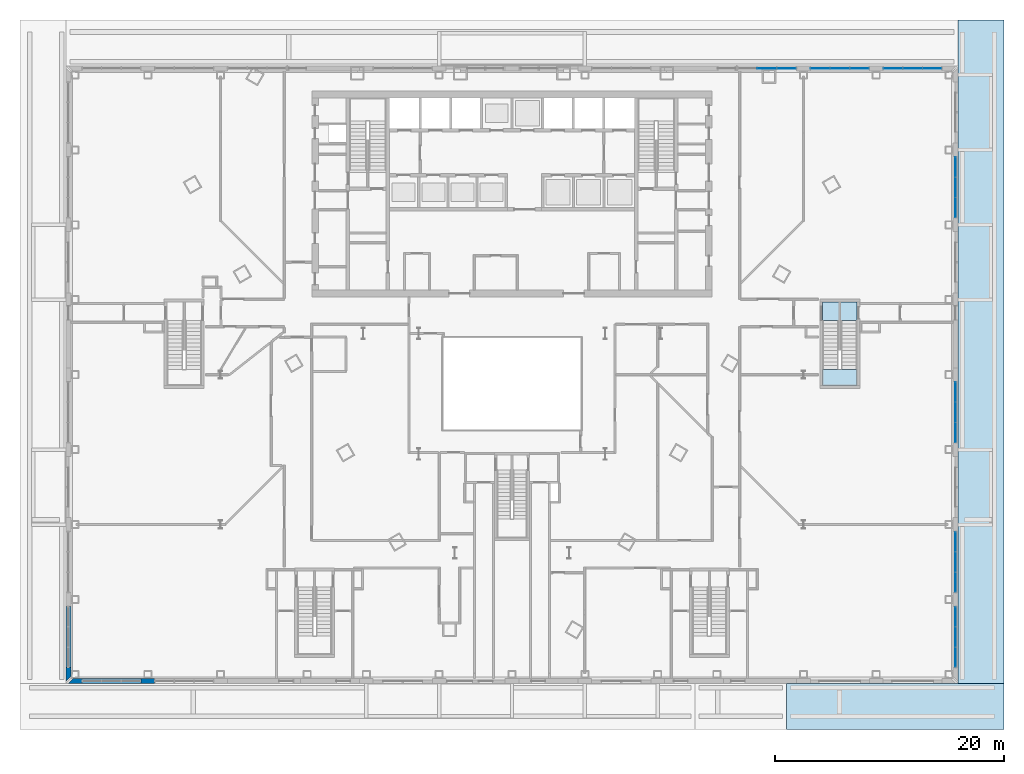
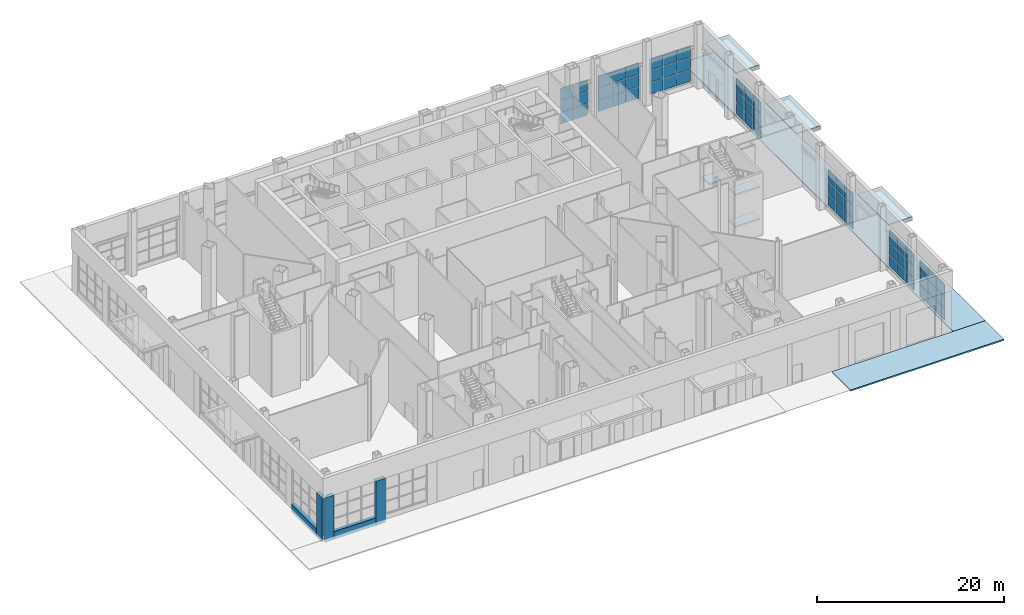
# One storey, part 15 of 34: 60 plates, 8 slabs, 5 walls, 8 elements without a shape of their own.
"""IFC4 building model written with IfcOpenShell, lengths in metres."""

import ifcopenshell
import ifcopenshell.guid

model = None  # the IFC model being written
_history = None  # IfcOwnerHistory: only IFC2X3 demands one
_inside = {}  # id of a spatial element -> (the spatial element, [elements in it])
_under = {}  # id of a project, library or spatial element -> (it, [spatial elements below it])
_declared = {}  # id of a project -> (the project, [libraries it declares])
_typed = {}  # id of a type object -> (the type object, [elements of that type])
_made_of = {}  # id of a material, layer set ... -> (it, [elements and type objects made of it])


def new_model(schema):
    """Start an empty IFC model of exactly this schema.

    Asked for "IFC4X3", IfcOpenShell would pick the latest addendum, in which some entities
    have other attributes; the version numbers below select the first issue.
    IFC2X3 requires an IfcOwnerHistory on every rooted entity: one is made here for all.
    """
    global model, _history
    if schema == "IFC4X3":
        model = ifcopenshell.file(schema_version=(4, 3, 0, 0))
    else:
        model = ifcopenshell.file(schema=schema)
    _inside.clear()
    _under.clear()
    _declared.clear()
    _typed.clear()
    _made_of.clear()
    _history = None
    if model.schema == "IFC2X3":
        org = make("IfcOrganization", Name="unknown")
        user = make(
            "IfcPersonAndOrganization",
            ThePerson=make("IfcPerson", FamilyName="unknown"),
            TheOrganization=org,
        )
        app = make(
            "IfcApplication",
            ApplicationDeveloper=org,
            Version="unknown",
            ApplicationFullName="unknown",
            ApplicationIdentifier="unknown",
        )
        _history = make(
            "IfcOwnerHistory",
            OwningUser=user,
            OwningApplication=app,
            ChangeAction="ADDED",
            CreationDate=0,
        )
    return model


def make(cls, **values):
    """One entity of the class cls with the attributes given. An attribute that is None is left unset."""
    return model.create_entity(
        cls, **{name: value for name, value in values.items() if value is not None}
    )


def rooted(cls, **values):
    """An entity with a GlobalId (a new one), such as an element, a storey or a relation."""
    return make(cls, GlobalId=ifcopenshell.guid.new(), OwnerHistory=_history, **values)


def si_unit(unit_type, name, prefix=None):
    """IfcSIUnit, for example si_unit("LENGTHUNIT", "METRE", prefix="MILLI")."""
    return make("IfcSIUnit", UnitType=unit_type, Prefix=prefix, Name=name)


def assignment(units):
    """IfcUnitAssignment: the units of a project."""
    return None if units is None else make("IfcUnitAssignment", Units=units)


def point(xyz):
    """IfcCartesianPoint."""
    return None if xyz is None else make("IfcCartesianPoint", Coordinates=xyz)


def direction(xyz):
    """IfcDirection."""
    return None if xyz is None else make("IfcDirection", DirectionRatios=xyz)


def frame(location, z_axis=None, x_axis=None):
    """IfcAxis2Placement3D, a coordinate frame: its origin and axes. An axis left out is left unset."""
    return make(
        "IfcAxis2Placement3D",
        Location=point(location),
        Axis=direction(z_axis),
        RefDirection=direction(x_axis),
    )


def frame_2d(location, x_axis=None):
    """IfcAxis2Placement2D, a coordinate frame in the plane: its origin and x axis."""
    return make(
        "IfcAxis2Placement2D", Location=point(location), RefDirection=direction(x_axis)
    )


def origin():
    """The frame at (0, 0, 0) with its axes left unset."""
    return frame((0.0, 0.0, 0.0))


def origin_2d():
    """The frame at (0, 0) in the plane with its x axis left unset."""
    return frame_2d((0.0, 0.0))


def place(relative_to, where):
    """IfcLocalPlacement: puts the frame where relative to a parent placement (None: the world)."""
    return make(
        "IfcLocalPlacement", PlacementRelTo=relative_to, RelativePlacement=where
    )


def context(
    kind, dimensions, precision=None, world=None, true_north=None, identifier=None
):
    """IfcGeometricRepresentationContext, for example the 3D "Model" context."""
    return make(
        "IfcGeometricRepresentationContext",
        ContextIdentifier=identifier,
        ContextType=kind,
        CoordinateSpaceDimension=dimensions,
        Precision=precision,
        WorldCoordinateSystem=world,
        TrueNorth=true_north,
    )


def subcontext(parent, identifier, kind, view, scale=None):
    """IfcGeometricRepresentationSubContext, for example "Body" below "Model"."""
    return make(
        "IfcGeometricRepresentationSubContext",
        ContextIdentifier=identifier,
        ContextType=kind,
        ParentContext=parent,
        TargetScale=scale,
        TargetView=view,
    )


def project(units=None, contexts=None):
    """IfcProject with its units and contexts."""
    return rooted(
        "IfcProject",
        Name="project",
        RepresentationContexts=contexts,
        UnitsInContext=assignment(units),
    )


def spatial(cls, under=None, at=None, **own):
    """A site, building, storey or space (cls), placed at a placement, below another one or the project."""
    s = rooted(cls, ObjectPlacement=at, **own)
    if under is not None:
        _under.setdefault(under.id(), (under, []))[1].append(s)
    return s


def polyline(points):
    """IfcPolyline through the points."""
    return make("IfcPolyline", Points=[point(p) for p in points])


def profile(cls, at=None, kind="AREA", **sizes):
    """A parametric profile (cls). Its sizes go by their IFC names, for example OverallWidth=200.0."""
    return make(cls, ProfileType=kind, Position=at, **sizes)


def rectangle(**sizes):
    """IfcRectangleProfileDef."""
    return profile("IfcRectangleProfileDef", **sizes)


def outline(outer, holes=None, kind="AREA"):
    """IfcArbitraryClosedProfileDef: a profile drawn as a closed curve; with holes, ...WithVoids."""
    if holes is None:
        return make("IfcArbitraryClosedProfileDef", ProfileType=kind, OuterCurve=outer)
    return make(
        "IfcArbitraryProfileDefWithVoids",
        ProfileType=kind,
        OuterCurve=outer,
        InnerCurves=holes,
    )


def extrude(swept, where, along, depth):
    """IfcExtrudedAreaSolid: the profile swept, set in the frame where, extruded along a direction by depth."""
    return make(
        "IfcExtrudedAreaSolid",
        SweptArea=swept,
        Position=where,
        ExtrudedDirection=direction(along),
        Depth=depth,
    )


def shape(context_of_items, identifier, shape_type, items):
    """IfcShapeRepresentation: the items that make up one representation, for example the "Body"."""
    return make(
        "IfcShapeRepresentation",
        ContextOfItems=context_of_items,
        RepresentationIdentifier=identifier,
        RepresentationType=shape_type,
        Items=items,
    )


def material(Name=None, Category=None):
    """IfcMaterial."""
    return make("IfcMaterial", Name=Name, Category=Category)


def layer(
    of_material, thickness, ventilated=None, Name=None, Category=None, Priority=None
):
    """IfcMaterialLayer: one layer of a wall or slab, of a material (None: an air gap)."""
    return make(
        "IfcMaterialLayer",
        Material=of_material,
        LayerThickness=thickness,
        IsVentilated=ventilated,
        Name=Name,
        Category=Category,
        Priority=Priority,
    )


def layer_set(layers, Name=None):
    """IfcMaterialLayerSet."""
    return make("IfcMaterialLayerSet", MaterialLayers=layers, LayerSetName=Name)


def made_of(thing, what):
    """Note that an element or type object is made of a material, layer set ...; save() writes the relation."""
    if what is not None:
        _made_of.setdefault(what.id(), (what, []))[1].append(thing)
    return thing


def type_object(cls, material=None, **own):
    """A type object (cls), such as IfcWallType, which elements share."""
    return made_of(rooted(cls, **own), material)


def element(
    cls,
    number,
    at=None,
    inside=None,
    cuts=None,
    type_object=None,
    material=None,
    context=None,
    identifier="Body",
    shape_type=None,
    held_by="IfcProductDefinitionShape",
    body=None,
    shapes=None,
    **own,
):
    """One element of the class cls, such as IfcWall. Its Tag is "e" and its number.

    at: its placement. inside: the storey or other place that contains it. cuts: it is an
    opening in that element (IfcRelVoidsElement). A single representation is given by context,
    identifier, shape_type and body (its items); several are given by shapes. held_by: the class
    of the entity that holds the representations. save() writes the other relations.
    """
    e = rooted(cls, Tag="e%d" % number, ObjectPlacement=at, **own)
    if body is not None:
        shapes = [shape(context, identifier, shape_type, body)]
    if shapes is not None:
        e.Representation = make(held_by, Representations=shapes)
    if inside is not None:
        _inside.setdefault(inside.id(), (inside, []))[1].append(e)
    if cuts is not None:
        rooted(
            "IfcRelVoidsElement", RelatingBuildingElement=cuts, RelatedOpeningElement=e
        )
    if type_object is not None:
        _typed.setdefault(type_object.id(), (type_object, []))[1].append(e)
    return made_of(e, material)


def aggregate(whole, parts):
    """IfcRelAggregates: a whole, such as a stair, and the parts it consists of."""
    return rooted("IfcRelAggregates", RelatingObject=whole, RelatedObjects=parts)


def save(model, path):
    """Write the relations noted so far, then the file.

    IfcRelAggregates (storeys below a building ...), IfcRelContainedInSpatialStructure (elements
    in a storey), IfcRelDefinesByType, IfcRelAssociatesMaterial and IfcRelDeclares: one each for
    every whole, place, type object, material and project.
    """
    for whole, parts in _under.values():
        aggregate(whole, parts)
    for where, things in _inside.values():
        rooted(
            "IfcRelContainedInSpatialStructure",
            RelatedElements=things,
            RelatingStructure=where,
        )
    for kind, things in _typed.values():
        rooted("IfcRelDefinesByType", RelatedObjects=things, RelatingType=kind)
    for what, things in _made_of.values():
        rooted("IfcRelAssociatesMaterial", RelatedObjects=things, RelatingMaterial=what)
    for by, libraries in _declared.values():
        rooted("IfcRelDeclares", RelatingContext=by, RelatedDefinitions=libraries)
    model.write(path)


model = new_model("IFC4")

# Units and contexts
model_context = context("Model", 3, precision=1e-05, world=origin(), true_north=direction((0.0, 1.0)))
body_context = subcontext(model_context, "Body", "Model", "MODEL_VIEW")
ifc_project = project(units=[si_unit("LENGTHUNIT", "METRE"), si_unit("AREAUNIT", "SQUARE_METRE"), si_unit("VOLUMEUNIT", "CUBIC_METRE"), si_unit("PLANEANGLEUNIT", "RADIAN"), si_unit("MASSUNIT", "GRAM", prefix="KILO")], contexts=[model_context])

# Site, building, storey
site_placement = place(None, origin())
site = spatial("IfcSite", under=ifc_project, at=site_placement, CompositionType="ELEMENT")
building_placement = place(site_placement, origin())
building = spatial("IfcBuilding", under=site, at=building_placement, Name="Njiva Tower", CompositionType="ELEMENT")
storey_placement = place(building_placement, origin())
storey = spatial("IfcBuildingStorey", under=building, at=storey_placement, Name="L00", CompositionType="ELEMENT", Elevation=0.0)

# Curtain wall, plates
ifc_material_1 = material(Name="Glazed curtain wall", Category="glass")
ifc_layer_1 = layer(ifc_material_1, 0.2)
ifc_layer_set_1 = layer_set([ifc_layer_1], Name="Glazed curtain wall")
curtain_wall_type = type_object("IfcCurtainWallType", Name="CW1 Shopfront glazing", PredefinedType="NOTDEFINED", material=ifc_layer_set_1)
curtain_wall_1_placement = place(storey_placement, origin())
curtain_wall_1 = element("IfcCurtainWall", 1, at=curtain_wall_1_placement, inside=storey, type_object=curtain_wall_type, Name="Shopfront E1", PredefinedType="NOTDEFINED")
ifc_material_2 = material(Name="Clear double glazing", Category="glass")
ifc_layer_2 = layer(ifc_material_2, 0.028)
ifc_layer_set_2 = layer_set([ifc_layer_2], Name="Clear double glazing")
plate_type = type_object("IfcPlateType", Name="CW1-P Shopfront glass panel 28", PredefinedType="CURTAIN_PANEL", material=ifc_layer_set_2)
plate_1_placement = place(storey_placement, frame((38.775, -31.4921, 0.6649), z_axis=(0.0, 0.0, 1.0), x_axis=(0.0, 1.0, 0.0)))
plate_1 = element("IfcPlate", 2, at=plate_1_placement, type_object=plate_type, Name="CW1-E1 panel 1.1", PredefinedType="CURTAIN_PANEL", context=body_context, shape_type="SweptSolid", body=[
    extrude(rectangle(XDim=1.6858, YDim=0.028, at=origin_2d()), origin(), (0.0, 0.0, 1.0), 1.5025),
])
plate_2_placement = place(storey_placement, frame((38.775, -31.4921, 2.2325), z_axis=(0.0, 0.0, 1.0), x_axis=(0.0, 1.0, 0.0)))
plate_2 = element("IfcPlate", 3, at=plate_2_placement, type_object=plate_type, Name="CW1-E1 panel 1.2", PredefinedType="CURTAIN_PANEL", context=body_context, shape_type="SweptSolid", body=[
    extrude(rectangle(XDim=1.6858, YDim=0.028, at=origin_2d()), origin(), (0.0, 0.0, 1.0), 1.535),
])
plate_3_placement = place(storey_placement, frame((38.775, -31.4921, 3.8326), z_axis=(0.0, 0.0, 1.0), x_axis=(0.0, 1.0, 0.0)))
plate_3 = element("IfcPlate", 4, at=plate_3_placement, type_object=plate_type, Name="CW1-E1 panel 1.3", PredefinedType="CURTAIN_PANEL", context=body_context, shape_type="SweptSolid", body=[
    extrude(rectangle(XDim=1.6858, YDim=0.028, at=origin_2d()), origin(), (0.0, 0.0, 1.0), 1.5025),
])
plate_4_placement = place(storey_placement, frame((38.775, -29.725, 0.6649), z_axis=(0.0, 0.0, 1.0), x_axis=(0.0, 1.0, 0.0)))
plate_4 = element("IfcPlate", 5, at=plate_4_placement, type_object=plate_type, Name="CW1-E1 panel 2.1", PredefinedType="CURTAIN_PANEL", context=body_context, shape_type="SweptSolid", body=[
    extrude(rectangle(XDim=1.7183, YDim=0.028, at=origin_2d()), origin(), (0.0, 0.0, 1.0), 1.5025),
])
plate_5_placement = place(storey_placement, frame((38.775, -29.725, 2.2325), z_axis=(0.0, 0.0, 1.0), x_axis=(0.0, 1.0, 0.0)))
plate_5 = element("IfcPlate", 6, at=plate_5_placement, type_object=plate_type, Name="CW1-E1 panel 2.2", PredefinedType="CURTAIN_PANEL", context=body_context, shape_type="SweptSolid", body=[
    extrude(rectangle(XDim=1.7183, YDim=0.028, at=origin_2d()), origin(), (0.0, 0.0, 1.0), 1.535),
])
plate_6_placement = place(storey_placement, frame((38.775, -29.725, 3.8326), z_axis=(0.0, 0.0, 1.0), x_axis=(0.0, 1.0, 0.0)))
plate_6 = element("IfcPlate", 7, at=plate_6_placement, type_object=plate_type, Name="CW1-E1 panel 2.3", PredefinedType="CURTAIN_PANEL", context=body_context, shape_type="SweptSolid", body=[
    extrude(rectangle(XDim=1.7183, YDim=0.028, at=origin_2d()), origin(), (0.0, 0.0, 1.0), 1.5025),
])
plate_7_placement = place(storey_placement, frame((38.775, -27.9579, 0.6649), z_axis=(0.0, 0.0, 1.0), x_axis=(0.0, 1.0, 0.0)))
plate_7 = element("IfcPlate", 8, at=plate_7_placement, type_object=plate_type, Name="CW1-E1 panel 3.1", PredefinedType="CURTAIN_PANEL", context=body_context, shape_type="SweptSolid", body=[
    extrude(rectangle(XDim=1.6858, YDim=0.028, at=origin_2d()), origin(), (0.0, 0.0, 1.0), 1.5025),
])
plate_8_placement = place(storey_placement, frame((38.775, -27.9579, 2.2325), z_axis=(0.0, 0.0, 1.0), x_axis=(0.0, 1.0, 0.0)))
plate_8 = element("IfcPlate", 9, at=plate_8_placement, type_object=plate_type, Name="CW1-E1 panel 3.2", PredefinedType="CURTAIN_PANEL", context=body_context, shape_type="SweptSolid", body=[
    extrude(rectangle(XDim=1.6858, YDim=0.028, at=origin_2d()), origin(), (0.0, 0.0, 1.0), 1.535),
])
plate_9_placement = place(storey_placement, frame((38.775, -27.9579, 3.8326), z_axis=(0.0, 0.0, 1.0), x_axis=(0.0, 1.0, 0.0)))
plate_9 = element("IfcPlate", 10, at=plate_9_placement, type_object=plate_type, Name="CW1-E1 panel 3.3", PredefinedType="CURTAIN_PANEL", context=body_context, shape_type="SweptSolid", body=[
    extrude(rectangle(XDim=1.6858, YDim=0.028, at=origin_2d()), origin(), (0.0, 0.0, 1.0), 1.5025),
])
aggregate(curtain_wall_1, [plate_1, plate_2, plate_3, plate_4, plate_5, plate_6, plate_7, plate_8, plate_9])

curtain_wall_2_placement = place(storey_placement, origin())
curtain_wall_2 = element("IfcCurtainWall", 11, at=curtain_wall_2_placement, inside=storey, type_object=curtain_wall_type, Name="Shopfront E2", PredefinedType="NOTDEFINED")
plate_10_placement = place(storey_placement, frame((38.775, -24.9421, 0.6649), z_axis=(0.0, 0.0, 1.0), x_axis=(0.0, 1.0, 0.0)))
plate_10 = element("IfcPlate", 12, at=plate_10_placement, type_object=plate_type, Name="CW1-E2 panel 1.1", PredefinedType="CURTAIN_PANEL", context=body_context, shape_type="SweptSolid", body=[
    extrude(rectangle(XDim=1.6858, YDim=0.028, at=origin_2d()), origin(), (0.0, 0.0, 1.0), 1.5025),
])
plate_11_placement = place(storey_placement, frame((38.775, -24.9421, 2.2325), z_axis=(0.0, 0.0, 1.0), x_axis=(0.0, 1.0, 0.0)))
plate_11 = element("IfcPlate", 13, at=plate_11_placement, type_object=plate_type, Name="CW1-E2 panel 1.2", PredefinedType="CURTAIN_PANEL", context=body_context, shape_type="SweptSolid", body=[
    extrude(rectangle(XDim=1.6858, YDim=0.028, at=origin_2d()), origin(), (0.0, 0.0, 1.0), 1.535),
])
plate_12_placement = place(storey_placement, frame((38.775, -24.9421, 3.8326), z_axis=(0.0, 0.0, 1.0), x_axis=(0.0, 1.0, 0.0)))
plate_12 = element("IfcPlate", 14, at=plate_12_placement, type_object=plate_type, Name="CW1-E2 panel 1.3", PredefinedType="CURTAIN_PANEL", context=body_context, shape_type="SweptSolid", body=[
    extrude(rectangle(XDim=1.6858, YDim=0.028, at=origin_2d()), origin(), (0.0, 0.0, 1.0), 1.5025),
])
plate_13_placement = place(storey_placement, frame((38.775, -23.175, 0.6649), z_axis=(0.0, 0.0, 1.0), x_axis=(0.0, 1.0, 0.0)))
plate_13 = element("IfcPlate", 15, at=plate_13_placement, type_object=plate_type, Name="CW1-E2 panel 2.1", PredefinedType="CURTAIN_PANEL", context=body_context, shape_type="SweptSolid", body=[
    extrude(rectangle(XDim=1.7183, YDim=0.028, at=origin_2d()), origin(), (0.0, 0.0, 1.0), 1.5025),
])
plate_14_placement = place(storey_placement, frame((38.775, -23.175, 2.2325), z_axis=(0.0, 0.0, 1.0), x_axis=(0.0, 1.0, 0.0)))
plate_14 = element("IfcPlate", 16, at=plate_14_placement, type_object=plate_type, Name="CW1-E2 panel 2.2", PredefinedType="CURTAIN_PANEL", context=body_context, shape_type="SweptSolid", body=[
    extrude(rectangle(XDim=1.7183, YDim=0.028, at=origin_2d()), origin(), (0.0, 0.0, 1.0), 1.535),
])
plate_15_placement = place(storey_placement, frame((38.775, -23.175, 3.8326), z_axis=(0.0, 0.0, 1.0), x_axis=(0.0, 1.0, 0.0)))
plate_15 = element("IfcPlate", 17, at=plate_15_placement, type_object=plate_type, Name="CW1-E2 panel 2.3", PredefinedType="CURTAIN_PANEL", context=body_context, shape_type="SweptSolid", body=[
    extrude(rectangle(XDim=1.7183, YDim=0.028, at=origin_2d()), origin(), (0.0, 0.0, 1.0), 1.5025),
])
plate_16_placement = place(storey_placement, frame((38.775, -21.4079, 0.6649), z_axis=(0.0, 0.0, 1.0), x_axis=(0.0, 1.0, 0.0)))
plate_16 = element("IfcPlate", 18, at=plate_16_placement, type_object=plate_type, Name="CW1-E2 panel 3.1", PredefinedType="CURTAIN_PANEL", context=body_context, shape_type="SweptSolid", body=[
    extrude(rectangle(XDim=1.6858, YDim=0.028, at=origin_2d()), origin(), (0.0, 0.0, 1.0), 1.5025),
])
plate_17_placement = place(storey_placement, frame((38.775, -21.4079, 2.2325), z_axis=(0.0, 0.0, 1.0), x_axis=(0.0, 1.0, 0.0)))
plate_17 = element("IfcPlate", 19, at=plate_17_placement, type_object=plate_type, Name="CW1-E2 panel 3.2", PredefinedType="CURTAIN_PANEL", context=body_context, shape_type="SweptSolid", body=[
    extrude(rectangle(XDim=1.6858, YDim=0.028, at=origin_2d()), origin(), (0.0, 0.0, 1.0), 1.535),
])
plate_18_placement = place(storey_placement, frame((38.775, -21.4079, 3.8326), z_axis=(0.0, 0.0, 1.0), x_axis=(0.0, 1.0, 0.0)))
plate_18 = element("IfcPlate", 20, at=plate_18_placement, type_object=plate_type, Name="CW1-E2 panel 3.3", PredefinedType="CURTAIN_PANEL", context=body_context, shape_type="SweptSolid", body=[
    extrude(rectangle(XDim=1.6858, YDim=0.028, at=origin_2d()), origin(), (0.0, 0.0, 1.0), 1.5025),
])
aggregate(curtain_wall_2, [plate_10, plate_11, plate_12, plate_13, plate_14, plate_15, plate_16, plate_17, plate_18])

curtain_wall_3_placement = place(storey_placement, origin())
curtain_wall_3 = element("IfcCurtainWall", 21, at=curtain_wall_3_placement, inside=storey, type_object=curtain_wall_type, Name="Shopfront E4", PredefinedType="NOTDEFINED")
plate_19_placement = place(storey_placement, frame((38.775, -11.8421, 0.6649), z_axis=(0.0, 0.0, 1.0), x_axis=(0.0, 1.0, 0.0)))
plate_19 = element("IfcPlate", 22, at=plate_19_placement, type_object=plate_type, Name="CW1-E4 panel 1.1", PredefinedType="CURTAIN_PANEL", context=body_context, shape_type="SweptSolid", body=[
    extrude(rectangle(XDim=1.6858, YDim=0.028, at=origin_2d()), origin(), (0.0, 0.0, 1.0), 1.5025),
])
plate_20_placement = place(storey_placement, frame((38.775, -11.8421, 2.2325), z_axis=(0.0, 0.0, 1.0), x_axis=(0.0, 1.0, 0.0)))
plate_20 = element("IfcPlate", 23, at=plate_20_placement, type_object=plate_type, Name="CW1-E4 panel 1.2", PredefinedType="CURTAIN_PANEL", context=body_context, shape_type="SweptSolid", body=[
    extrude(rectangle(XDim=1.6858, YDim=0.028, at=origin_2d()), origin(), (0.0, 0.0, 1.0), 1.535),
])
plate_21_placement = place(storey_placement, frame((38.775, -11.8421, 3.8326), z_axis=(0.0, 0.0, 1.0), x_axis=(0.0, 1.0, 0.0)))
plate_21 = element("IfcPlate", 24, at=plate_21_placement, type_object=plate_type, Name="CW1-E4 panel 1.3", PredefinedType="CURTAIN_PANEL", context=body_context, shape_type="SweptSolid", body=[
    extrude(rectangle(XDim=1.6858, YDim=0.028, at=origin_2d()), origin(), (0.0, 0.0, 1.0), 1.5025),
])
plate_22_placement = place(storey_placement, frame((38.775, -10.075, 0.6649), z_axis=(0.0, 0.0, 1.0), x_axis=(0.0, 1.0, 0.0)))
plate_22 = element("IfcPlate", 25, at=plate_22_placement, type_object=plate_type, Name="CW1-E4 panel 2.1", PredefinedType="CURTAIN_PANEL", context=body_context, shape_type="SweptSolid", body=[
    extrude(rectangle(XDim=1.7183, YDim=0.028, at=origin_2d()), origin(), (0.0, 0.0, 1.0), 1.5025),
])
plate_23_placement = place(storey_placement, frame((38.775, -10.075, 2.2325), z_axis=(0.0, 0.0, 1.0), x_axis=(0.0, 1.0, 0.0)))
plate_23 = element("IfcPlate", 26, at=plate_23_placement, type_object=plate_type, Name="CW1-E4 panel 2.2", PredefinedType="CURTAIN_PANEL", context=body_context, shape_type="SweptSolid", body=[
    extrude(rectangle(XDim=1.7183, YDim=0.028, at=origin_2d()), origin(), (0.0, 0.0, 1.0), 1.535),
])
plate_24_placement = place(storey_placement, frame((38.775, -10.075, 3.8326), z_axis=(0.0, 0.0, 1.0), x_axis=(0.0, 1.0, 0.0)))
plate_24 = element("IfcPlate", 27, at=plate_24_placement, type_object=plate_type, Name="CW1-E4 panel 2.3", PredefinedType="CURTAIN_PANEL", context=body_context, shape_type="SweptSolid", body=[
    extrude(rectangle(XDim=1.7183, YDim=0.028, at=origin_2d()), origin(), (0.0, 0.0, 1.0), 1.5025),
])
plate_25_placement = place(storey_placement, frame((38.775, -8.3079, 0.6649), z_axis=(0.0, 0.0, 1.0), x_axis=(0.0, 1.0, 0.0)))
plate_25 = element("IfcPlate", 28, at=plate_25_placement, type_object=plate_type, Name="CW1-E4 panel 3.1", PredefinedType="CURTAIN_PANEL", context=body_context, shape_type="SweptSolid", body=[
    extrude(rectangle(XDim=1.6858, YDim=0.028, at=origin_2d()), origin(), (0.0, 0.0, 1.0), 1.5025),
])
plate_26_placement = place(storey_placement, frame((38.775, -8.3079, 2.2325), z_axis=(0.0, 0.0, 1.0), x_axis=(0.0, 1.0, 0.0)))
plate_26 = element("IfcPlate", 29, at=plate_26_placement, type_object=plate_type, Name="CW1-E4 panel 3.2", PredefinedType="CURTAIN_PANEL", context=body_context, shape_type="SweptSolid", body=[
    extrude(rectangle(XDim=1.6858, YDim=0.028, at=origin_2d()), origin(), (0.0, 0.0, 1.0), 1.535),
])
plate_27_placement = place(storey_placement, frame((38.775, -8.3079, 3.8326), z_axis=(0.0, 0.0, 1.0), x_axis=(0.0, 1.0, 0.0)))
plate_27 = element("IfcPlate", 30, at=plate_27_placement, type_object=plate_type, Name="CW1-E4 panel 3.3", PredefinedType="CURTAIN_PANEL", context=body_context, shape_type="SweptSolid", body=[
    extrude(rectangle(XDim=1.6858, YDim=0.028, at=origin_2d()), origin(), (0.0, 0.0, 1.0), 1.5025),
])
aggregate(curtain_wall_3, [plate_19, plate_20, plate_21, plate_22, plate_23, plate_24, plate_25, plate_26, plate_27])

curtain_wall_4_placement = place(storey_placement, origin())
curtain_wall_4 = element("IfcCurtainWall", 31, at=curtain_wall_4_placement, inside=storey, type_object=curtain_wall_type, Name="Shopfront E7", PredefinedType="NOTDEFINED")
plate_28_placement = place(storey_placement, frame((38.775, 7.8079, 0.6649), z_axis=(0.0, 0.0, 1.0), x_axis=(0.0, 1.0, 0.0)))
plate_28 = element("IfcPlate", 32, at=plate_28_placement, type_object=plate_type, Name="CW1-E7 panel 1.1", PredefinedType="CURTAIN_PANEL", context=body_context, shape_type="SweptSolid", body=[
    extrude(rectangle(XDim=1.6858, YDim=0.028, at=origin_2d()), origin(), (0.0, 0.0, 1.0), 1.5025),
])
plate_29_placement = place(storey_placement, frame((38.775, 7.8079, 2.2325), z_axis=(0.0, 0.0, 1.0), x_axis=(0.0, 1.0, 0.0)))
plate_29 = element("IfcPlate", 33, at=plate_29_placement, type_object=plate_type, Name="CW1-E7 panel 1.2", PredefinedType="CURTAIN_PANEL", context=body_context, shape_type="SweptSolid", body=[
    extrude(rectangle(XDim=1.6858, YDim=0.028, at=origin_2d()), origin(), (0.0, 0.0, 1.0), 1.535),
])
plate_30_placement = place(storey_placement, frame((38.775, 7.8079, 3.8326), z_axis=(0.0, 0.0, 1.0), x_axis=(0.0, 1.0, 0.0)))
plate_30 = element("IfcPlate", 34, at=plate_30_placement, type_object=plate_type, Name="CW1-E7 panel 1.3", PredefinedType="CURTAIN_PANEL", context=body_context, shape_type="SweptSolid", body=[
    extrude(rectangle(XDim=1.6858, YDim=0.028, at=origin_2d()), origin(), (0.0, 0.0, 1.0), 1.5025),
])
plate_31_placement = place(storey_placement, frame((38.775, 9.575, 0.6649), z_axis=(0.0, 0.0, 1.0), x_axis=(0.0, 1.0, 0.0)))
plate_31 = element("IfcPlate", 35, at=plate_31_placement, type_object=plate_type, Name="CW1-E7 panel 2.1", PredefinedType="CURTAIN_PANEL", context=body_context, shape_type="SweptSolid", body=[
    extrude(rectangle(XDim=1.7183, YDim=0.028, at=origin_2d()), origin(), (0.0, 0.0, 1.0), 1.5025),
])
plate_32_placement = place(storey_placement, frame((38.775, 9.575, 2.2325), z_axis=(0.0, 0.0, 1.0), x_axis=(0.0, 1.0, 0.0)))
plate_32 = element("IfcPlate", 36, at=plate_32_placement, type_object=plate_type, Name="CW1-E7 panel 2.2", PredefinedType="CURTAIN_PANEL", context=body_context, shape_type="SweptSolid", body=[
    extrude(rectangle(XDim=1.7183, YDim=0.028, at=origin_2d()), origin(), (0.0, 0.0, 1.0), 1.535),
])
plate_33_placement = place(storey_placement, frame((38.775, 9.575, 3.8326), z_axis=(0.0, 0.0, 1.0), x_axis=(0.0, 1.0, 0.0)))
plate_33 = element("IfcPlate", 37, at=plate_33_placement, type_object=plate_type, Name="CW1-E7 panel 2.3", PredefinedType="CURTAIN_PANEL", context=body_context, shape_type="SweptSolid", body=[
    extrude(rectangle(XDim=1.7183, YDim=0.028, at=origin_2d()), origin(), (0.0, 0.0, 1.0), 1.5025),
])
plate_34_placement = place(storey_placement, frame((38.775, 11.3421, 0.6649), z_axis=(0.0, 0.0, 1.0), x_axis=(0.0, 1.0, 0.0)))
plate_34 = element("IfcPlate", 38, at=plate_34_placement, type_object=plate_type, Name="CW1-E7 panel 3.1", PredefinedType="CURTAIN_PANEL", context=body_context, shape_type="SweptSolid", body=[
    extrude(rectangle(XDim=1.6858, YDim=0.028, at=origin_2d()), origin(), (0.0, 0.0, 1.0), 1.5025),
])
plate_35_placement = place(storey_placement, frame((38.775, 11.3421, 2.2325), z_axis=(0.0, 0.0, 1.0), x_axis=(0.0, 1.0, 0.0)))
plate_35 = element("IfcPlate", 39, at=plate_35_placement, type_object=plate_type, Name="CW1-E7 panel 3.2", PredefinedType="CURTAIN_PANEL", context=body_context, shape_type="SweptSolid", body=[
    extrude(rectangle(XDim=1.6858, YDim=0.028, at=origin_2d()), origin(), (0.0, 0.0, 1.0), 1.535),
])
plate_36_placement = place(storey_placement, frame((38.775, 11.3421, 3.8326), z_axis=(0.0, 0.0, 1.0), x_axis=(0.0, 1.0, 0.0)))
plate_36 = element("IfcPlate", 40, at=plate_36_placement, type_object=plate_type, Name="CW1-E7 panel 3.3", PredefinedType="CURTAIN_PANEL", context=body_context, shape_type="SweptSolid", body=[
    extrude(rectangle(XDim=1.6858, YDim=0.028, at=origin_2d()), origin(), (0.0, 0.0, 1.0), 1.5025),
])
aggregate(curtain_wall_4, [plate_28, plate_29, plate_30, plate_31, plate_32, plate_33, plate_34, plate_35, plate_36])

curtain_wall_5_placement = place(storey_placement, origin())
curtain_wall_5 = element("IfcCurtainWall", 41, at=curtain_wall_5_placement, inside=storey, type_object=curtain_wall_type, Name="Shopfront N1", PredefinedType="NOTDEFINED")
plate_37_placement = place(storey_placement, frame((36.7226, 19.975, 0.6649), z_axis=(0.0, 0.0, 1.0), x_axis=(-1.0, 0.0, 0.0)))
plate_37 = element("IfcPlate", 42, at=plate_37_placement, type_object=plate_type, Name="CW1-N1 panel 1.1", PredefinedType="CURTAIN_PANEL", context=body_context, shape_type="SweptSolid", body=[
    extrude(rectangle(XDim=1.6247, YDim=0.028, at=origin_2d()), origin(), (0.0, 0.0, 1.0), 1.5025),
])
plate_38_placement = place(storey_placement, frame((36.7226, 19.975, 2.2325), z_axis=(0.0, 0.0, 1.0), x_axis=(-1.0, 0.0, 0.0)))
plate_38 = element("IfcPlate", 43, at=plate_38_placement, type_object=plate_type, Name="CW1-N1 panel 1.2", PredefinedType="CURTAIN_PANEL", context=body_context, shape_type="SweptSolid", body=[
    extrude(rectangle(XDim=1.6247, YDim=0.028, at=origin_2d()), origin(), (0.0, 0.0, 1.0), 1.535),
])
plate_39_placement = place(storey_placement, frame((36.7226, 19.975, 3.8326), z_axis=(0.0, 0.0, 1.0), x_axis=(-1.0, 0.0, 0.0)))
plate_39 = element("IfcPlate", 44, at=plate_39_placement, type_object=plate_type, Name="CW1-N1 panel 1.3", PredefinedType="CURTAIN_PANEL", context=body_context, shape_type="SweptSolid", body=[
    extrude(rectangle(XDim=1.6247, YDim=0.028, at=origin_2d()), origin(), (0.0, 0.0, 1.0), 1.5025),
])
plate_40_placement = place(storey_placement, frame((35.0166, 19.975, 0.6649), z_axis=(0.0, 0.0, 1.0), x_axis=(-1.0, 0.0, 0.0)))
plate_40 = element("IfcPlate", 45, at=plate_40_placement, type_object=plate_type, Name="CW1-N1 panel 2.1", PredefinedType="CURTAIN_PANEL", context=body_context, shape_type="SweptSolid", body=[
    extrude(rectangle(XDim=1.6572, YDim=0.028, at=origin_2d()), origin(), (0.0, 0.0, 1.0), 1.5025),
])
plate_41_placement = place(storey_placement, frame((35.0166, 19.975, 2.2325), z_axis=(0.0, 0.0, 1.0), x_axis=(-1.0, 0.0, 0.0)))
plate_41 = element("IfcPlate", 46, at=plate_41_placement, type_object=plate_type, Name="CW1-N1 panel 2.2", PredefinedType="CURTAIN_PANEL", context=body_context, shape_type="SweptSolid", body=[
    extrude(rectangle(XDim=1.6572, YDim=0.028, at=origin_2d()), origin(), (0.0, 0.0, 1.0), 1.535),
])
plate_42_placement = place(storey_placement, frame((35.0166, 19.975, 3.8326), z_axis=(0.0, 0.0, 1.0), x_axis=(-1.0, 0.0, 0.0)))
plate_42 = element("IfcPlate", 47, at=plate_42_placement, type_object=plate_type, Name="CW1-N1 panel 2.3", PredefinedType="CURTAIN_PANEL", context=body_context, shape_type="SweptSolid", body=[
    extrude(rectangle(XDim=1.6572, YDim=0.028, at=origin_2d()), origin(), (0.0, 0.0, 1.0), 1.5025),
])
plate_43_placement = place(storey_placement, frame((33.3107, 19.975, 0.6649), z_axis=(0.0, 0.0, 1.0), x_axis=(-1.0, 0.0, 0.0)))
plate_43 = element("IfcPlate", 48, at=plate_43_placement, type_object=plate_type, Name="CW1-N1 panel 3.1", PredefinedType="CURTAIN_PANEL", context=body_context, shape_type="SweptSolid", body=[
    extrude(rectangle(XDim=1.6247, YDim=0.028, at=origin_2d()), origin(), (0.0, 0.0, 1.0), 1.5025),
])
plate_44_placement = place(storey_placement, frame((33.3107, 19.975, 2.2325), z_axis=(0.0, 0.0, 1.0), x_axis=(-1.0, 0.0, 0.0)))
plate_44 = element("IfcPlate", 49, at=plate_44_placement, type_object=plate_type, Name="CW1-N1 panel 3.2", PredefinedType="CURTAIN_PANEL", context=body_context, shape_type="SweptSolid", body=[
    extrude(rectangle(XDim=1.6247, YDim=0.028, at=origin_2d()), origin(), (0.0, 0.0, 1.0), 1.535),
])
plate_45_placement = place(storey_placement, frame((33.3107, 19.975, 3.8326), z_axis=(0.0, 0.0, 1.0), x_axis=(-1.0, 0.0, 0.0)))
plate_45 = element("IfcPlate", 50, at=plate_45_placement, type_object=plate_type, Name="CW1-N1 panel 3.3", PredefinedType="CURTAIN_PANEL", context=body_context, shape_type="SweptSolid", body=[
    extrude(rectangle(XDim=1.6247, YDim=0.028, at=origin_2d()), origin(), (0.0, 0.0, 1.0), 1.5025),
])
aggregate(curtain_wall_5, [plate_37, plate_38, plate_39, plate_40, plate_41, plate_42, plate_43, plate_44, plate_45])

curtain_wall_6_placement = place(storey_placement, origin())
curtain_wall_6 = element("IfcCurtainWall", 51, at=curtain_wall_6_placement, inside=storey, type_object=curtain_wall_type, Name="Shopfront N2", PredefinedType="NOTDEFINED")
plate_46_placement = place(storey_placement, frame((30.356, 19.975, 0.6649), z_axis=(0.0, 0.0, 1.0), x_axis=(-1.0, 0.0, 0.0)))
plate_46 = element("IfcPlate", 52, at=plate_46_placement, type_object=plate_type, Name="CW1-N2 panel 1.1", PredefinedType="CURTAIN_PANEL", context=body_context, shape_type="SweptSolid", body=[
    extrude(rectangle(XDim=1.6247, YDim=0.028, at=origin_2d()), origin(), (0.0, 0.0, 1.0), 1.5025),
])
plate_47_placement = place(storey_placement, frame((30.356, 19.975, 2.2325), z_axis=(0.0, 0.0, 1.0), x_axis=(-1.0, 0.0, 0.0)))
plate_47 = element("IfcPlate", 53, at=plate_47_placement, type_object=plate_type, Name="CW1-N2 panel 1.2", PredefinedType="CURTAIN_PANEL", context=body_context, shape_type="SweptSolid", body=[
    extrude(rectangle(XDim=1.6247, YDim=0.028, at=origin_2d()), origin(), (0.0, 0.0, 1.0), 1.535),
])
plate_48_placement = place(storey_placement, frame((30.356, 19.975, 3.8326), z_axis=(0.0, 0.0, 1.0), x_axis=(-1.0, 0.0, 0.0)))
plate_48 = element("IfcPlate", 54, at=plate_48_placement, type_object=plate_type, Name="CW1-N2 panel 1.3", PredefinedType="CURTAIN_PANEL", context=body_context, shape_type="SweptSolid", body=[
    extrude(rectangle(XDim=1.6247, YDim=0.028, at=origin_2d()), origin(), (0.0, 0.0, 1.0), 1.5025),
])
plate_49_placement = place(storey_placement, frame((28.65, 19.975, 0.6649), z_axis=(0.0, 0.0, 1.0), x_axis=(-1.0, 0.0, 0.0)))
plate_49 = element("IfcPlate", 55, at=plate_49_placement, type_object=plate_type, Name="CW1-N2 panel 2.1", PredefinedType="CURTAIN_PANEL", context=body_context, shape_type="SweptSolid", body=[
    extrude(rectangle(XDim=1.6572, YDim=0.028, at=origin_2d()), origin(), (0.0, 0.0, 1.0), 1.5025),
])
plate_50_placement = place(storey_placement, frame((28.65, 19.975, 2.2325), z_axis=(0.0, 0.0, 1.0), x_axis=(-1.0, 0.0, 0.0)))
plate_50 = element("IfcPlate", 56, at=plate_50_placement, type_object=plate_type, Name="CW1-N2 panel 2.2", PredefinedType="CURTAIN_PANEL", context=body_context, shape_type="SweptSolid", body=[
    extrude(rectangle(XDim=1.6572, YDim=0.028, at=origin_2d()), origin(), (0.0, 0.0, 1.0), 1.535),
])
plate_51_placement = place(storey_placement, frame((28.65, 19.975, 3.8326), z_axis=(0.0, 0.0, 1.0), x_axis=(-1.0, 0.0, 0.0)))
plate_51 = element("IfcPlate", 57, at=plate_51_placement, type_object=plate_type, Name="CW1-N2 panel 2.3", PredefinedType="CURTAIN_PANEL", context=body_context, shape_type="SweptSolid", body=[
    extrude(rectangle(XDim=1.6572, YDim=0.028, at=origin_2d()), origin(), (0.0, 0.0, 1.0), 1.5025),
])
plate_52_placement = place(storey_placement, frame((26.944, 19.975, 0.6649), z_axis=(0.0, 0.0, 1.0), x_axis=(-1.0, 0.0, 0.0)))
plate_52 = element("IfcPlate", 58, at=plate_52_placement, type_object=plate_type, Name="CW1-N2 panel 3.1", PredefinedType="CURTAIN_PANEL", context=body_context, shape_type="SweptSolid", body=[
    extrude(rectangle(XDim=1.6247, YDim=0.028, at=origin_2d()), origin(), (0.0, 0.0, 1.0), 1.5025),
])
plate_53_placement = place(storey_placement, frame((26.944, 19.975, 2.2325), z_axis=(0.0, 0.0, 1.0), x_axis=(-1.0, 0.0, 0.0)))
plate_53 = element("IfcPlate", 59, at=plate_53_placement, type_object=plate_type, Name="CW1-N2 panel 3.2", PredefinedType="CURTAIN_PANEL", context=body_context, shape_type="SweptSolid", body=[
    extrude(rectangle(XDim=1.6247, YDim=0.028, at=origin_2d()), origin(), (0.0, 0.0, 1.0), 1.535),
])
plate_54_placement = place(storey_placement, frame((26.944, 19.975, 3.8326), z_axis=(0.0, 0.0, 1.0), x_axis=(-1.0, 0.0, 0.0)))
plate_54 = element("IfcPlate", 60, at=plate_54_placement, type_object=plate_type, Name="CW1-N2 panel 3.3", PredefinedType="CURTAIN_PANEL", context=body_context, shape_type="SweptSolid", body=[
    extrude(rectangle(XDim=1.6247, YDim=0.028, at=origin_2d()), origin(), (0.0, 0.0, 1.0), 1.5025),
])
aggregate(curtain_wall_6, [plate_46, plate_47, plate_48, plate_49, plate_50, plate_51, plate_52, plate_53, plate_54])

curtain_wall_7_placement = place(storey_placement, origin())
curtain_wall_7 = element("IfcCurtainWall", 61, at=curtain_wall_7_placement, inside=storey, type_object=curtain_wall_type, Name="Shopfront N3", PredefinedType="NOTDEFINED")
plate_55_placement = place(storey_placement, frame((23.9893, 19.975, 0.6649), z_axis=(0.0, 0.0, 1.0), x_axis=(-1.0, 0.0, 0.0)))
plate_55 = element("IfcPlate", 62, at=plate_55_placement, type_object=plate_type, Name="CW1-N3 panel 1.1", PredefinedType="CURTAIN_PANEL", context=body_context, shape_type="SweptSolid", body=[
    extrude(rectangle(XDim=1.6247, YDim=0.028, at=origin_2d()), origin(), (0.0, 0.0, 1.0), 1.5025),
])
plate_56_placement = place(storey_placement, frame((23.9893, 19.975, 2.2325), z_axis=(0.0, 0.0, 1.0), x_axis=(-1.0, 0.0, 0.0)))
plate_56 = element("IfcPlate", 63, at=plate_56_placement, type_object=plate_type, Name="CW1-N3 panel 1.2", PredefinedType="CURTAIN_PANEL", context=body_context, shape_type="SweptSolid", body=[
    extrude(rectangle(XDim=1.6247, YDim=0.028, at=origin_2d()), origin(), (0.0, 0.0, 1.0), 1.535),
])
plate_57_placement = place(storey_placement, frame((23.9893, 19.975, 3.8326), z_axis=(0.0, 0.0, 1.0), x_axis=(-1.0, 0.0, 0.0)))
plate_57 = element("IfcPlate", 64, at=plate_57_placement, type_object=plate_type, Name="CW1-N3 panel 1.3", PredefinedType="CURTAIN_PANEL", context=body_context, shape_type="SweptSolid", body=[
    extrude(rectangle(XDim=1.6247, YDim=0.028, at=origin_2d()), origin(), (0.0, 0.0, 1.0), 1.5025),
])
plate_58_placement = place(storey_placement, frame((22.2834, 19.975, 0.6649), z_axis=(0.0, 0.0, 1.0), x_axis=(-1.0, 0.0, 0.0)))
plate_58 = element("IfcPlate", 65, at=plate_58_placement, type_object=plate_type, Name="CW1-N3 panel 2.1", PredefinedType="CURTAIN_PANEL", context=body_context, shape_type="SweptSolid", body=[
    extrude(rectangle(XDim=1.6572, YDim=0.028, at=origin_2d()), origin(), (0.0, 0.0, 1.0), 1.5025),
])
plate_59_placement = place(storey_placement, frame((22.2834, 19.975, 2.2325), z_axis=(0.0, 0.0, 1.0), x_axis=(-1.0, 0.0, 0.0)))
plate_59 = element("IfcPlate", 66, at=plate_59_placement, type_object=plate_type, Name="CW1-N3 panel 2.2", PredefinedType="CURTAIN_PANEL", context=body_context, shape_type="SweptSolid", body=[
    extrude(rectangle(XDim=1.6572, YDim=0.028, at=origin_2d()), origin(), (0.0, 0.0, 1.0), 1.535),
])
plate_60_placement = place(storey_placement, frame((22.2834, 19.975, 3.8326), z_axis=(0.0, 0.0, 1.0), x_axis=(-1.0, 0.0, 0.0)))
plate_60 = element("IfcPlate", 67, at=plate_60_placement, type_object=plate_type, Name="CW1-N3 panel 2.3", PredefinedType="CURTAIN_PANEL", context=body_context, shape_type="SweptSolid", body=[
    extrude(rectangle(XDim=1.6572, YDim=0.028, at=origin_2d()), origin(), (0.0, 0.0, 1.0), 1.5025),
])
aggregate(curtain_wall_7, [plate_55, plate_56, plate_57, plate_58, plate_59, plate_60])

# Stair, slabs
ifc_material_3 = material(Name="Concrete C40/50", Category="concrete")
stair_type = type_object("IfcStairType", Name="ST2 Exit stair 1400", PredefinedType="HALF_TURN_STAIR", material=ifc_material_3)
stair_placement = place(storey_placement, origin())
stair = element("IfcStair", 68, at=stair_placement, inside=storey, type_object=stair_type, Name="Stair G", PredefinedType="DOUBLE_RETURN_STAIR")
ifc_layer_3 = layer(ifc_material_3, 0.2)
ifc_layer_set_3 = layer_set([ifc_layer_3], Name="Concrete C40/50")
slab_type_1 = type_object("IfcSlabType", Name="FL9 Stair landing 200", PredefinedType="LANDING", material=ifc_layer_set_3)
slab_1_placement = place(storey_placement, frame((0.0, 0.0, 1.9)))
slab_1 = element("IfcSlab", 69, at=slab_1_placement, type_object=slab_type_1, Name="ST-G landing 1", PredefinedType="LANDING", context=body_context, shape_type="SweptSolid", body=[
    extrude(outline(polyline([(27.144, -7.75), (30.156, -7.75), (30.156, -6.34), (27.144, -6.34), (27.144, -7.75)])), origin(), (0.0, 0.0, 1.0), 0.2),
])
slab_2_placement = place(storey_placement, frame((0.0, 0.0, 4.0)))
slab_2 = element("IfcSlab", 70, at=slab_2_placement, type_object=slab_type_1, Name="ST-G landing 2", PredefinedType="LANDING", context=body_context, shape_type="SweptSolid", body=[
    extrude(outline(polyline([(27.144, -2.05), (30.156, -2.05), (30.156, -0.45), (27.144, -0.45), (27.144, -2.05)])), origin(), (0.0, 0.0, 1.0), 0.2),
])
slab_3_placement = place(storey_placement, frame((0.0, 0.0, 6.1)))
slab_3 = element("IfcSlab", 71, at=slab_3_placement, type_object=slab_type_1, Name="ST-G landing 3", PredefinedType="LANDING", context=body_context, shape_type="SweptSolid", body=[
    extrude(outline(polyline([(27.144, -7.75), (30.156, -7.75), (30.156, -6.34), (27.144, -6.34), (27.144, -7.75)])), origin(), (0.0, 0.0, 1.0), 0.2),
])
aggregate(stair, [slab_1, slab_2, slab_3])

# Slabs
ifc_material_4 = material(Name="Steel S355 plate and glass", Category="steel")
ifc_layer_4 = layer(ifc_material_4, 0.15)
ifc_layer_set_4 = layer_set([ifc_layer_4], Name="Steel S355 plate and glass")
slab_type_2 = type_object("IfcSlabType", Name="SL92 Canopy deck 150", PredefinedType="ROOF", material=ifc_layer_set_4)
slab_4_placement = place(storey_placement, frame((0.0, 0.0, 5.4)))
element("IfcSlab", 72, at=slab_4_placement, inside=storey, type_object=slab_type_2, Name="Entrance canopy", PredefinedType="ROOF", context=body_context, shape_type="SweptSolid", body=[
    extrude(outline(polyline([(39.0, -19.9), (39.0, -13.35), (42.0, -13.35), (42.0, -19.9), (39.0, -19.9)])), origin(), (0.0, 0.0, 1.0), 0.15),
])
slab_5_placement = place(storey_placement, frame((0.0, 0.0, 5.4)))
element("IfcSlab", 73, at=slab_5_placement, inside=storey, type_object=slab_type_2, Name="Entrance canopy", PredefinedType="ROOF", context=body_context, shape_type="SweptSolid", body=[
    extrude(outline(polyline([(39.0, -0.25), (39.0, 6.3), (42.0, 6.3), (42.0, -0.25), (39.0, -0.25)])), origin(), (0.0, 0.0, 1.0), 0.15),
])
slab_6_placement = place(storey_placement, frame((0.0, 0.0, 5.4)))
element("IfcSlab", 74, at=slab_6_placement, inside=storey, type_object=slab_type_2, Name="Entrance canopy", PredefinedType="ROOF", context=body_context, shape_type="SweptSolid", body=[
    extrude(outline(polyline([(39.0, 12.85), (39.0, 19.4), (42.0, 19.4), (42.0, 12.85), (39.0, 12.85)])), origin(), (0.0, 0.0, 1.0), 0.15),
])
ifc_material_5 = material(Name="Granite setts", Category="masonry")
ifc_layer_5 = layer(ifc_material_5, 0.1)
ifc_layer_set_5 = layer_set([ifc_layer_5], Name="Granite setts")
slab_type_3 = type_object("IfcSlabType", Name="SL94 Market frontage granite setts 100", PredefinedType="USERDEFINED", material=ifc_layer_set_5)
slab_7_placement = place(storey_placement, frame((0.0, 0.0, -0.1)))
element("IfcSlab", 75, at=slab_7_placement, inside=storey, type_object=slab_type_3, Name="Market frontage setts", ObjectType="PAVING", PredefinedType="USERDEFINED", context=body_context, shape_type="SweptSolid", body=[
    extrude(outline(polyline([(43.0, -33.8), (43.0, 24.2), (39.0, 24.2), (39.0, -33.8), (43.0, -33.8)])), origin(), (0.0, 0.0, 1.0), 0.1),
])
ifc_material_6 = material(Name="Concrete C30/37", Category="concrete")
ifc_layer_6 = layer(ifc_material_6, 0.18)
ifc_layer_set_6 = layer_set([ifc_layer_6], Name="Concrete C30/37")
slab_type_4 = type_object("IfcSlabType", Name="SL96 Service yard concrete apron 180", PredefinedType="USERDEFINED", material=ifc_layer_set_6)
slab_8_placement = place(storey_placement, frame((0.0, 0.0, -0.18)))
element("IfcSlab", 76, at=slab_8_placement, inside=storey, type_object=slab_type_4, Name="Service yard and loading apron", ObjectType="PAVING", PredefinedType="USERDEFINED", context=body_context, shape_type="SweptSolid", body=[
    extrude(outline(polyline([(43.0, -37.8), (43.0, -33.8), (24.0, -33.8), (24.0, -37.8), (43.0, -37.8)])), origin(), (0.0, 0.0, 1.0), 0.18),
])

# Walls
ifc_material_7 = material(Name="Brick masonry", Category="masonry")
ifc_layer_7 = layer(ifc_material_7, 0.45)
ifc_layer_set_7 = layer_set([ifc_layer_7], Name="Brick masonry")
wall_type = type_object("IfcWallType", Name="WT90 Brick pier and spandrel wall 450", PredefinedType="SOLIDWALL", material=ifc_layer_set_7)
wall_1_placement = place(storey_placement, frame((-38.775, -32.4, -0.4), z_axis=(0.0, 0.0, 1.0), x_axis=(0.0, -1.0, 0.0)))
element("IfcWall", 77, at=wall_1_placement, inside=storey, type_object=wall_type, Name="Podium pier W9", PredefinedType="SOLIDWALL", context=body_context, shape_type="SweptSolid", body=[
    extrude(outline(polyline([(0.0, -0.225), (1.2, -0.225), (0.75, 0.225), (0.0, 0.225), (0.0, -0.225)])), origin(), (0.0, 0.0, 1.0), 5.8),
])
wall_2_placement = place(storey_placement, frame((-38.775, -27.05, -0.4), z_axis=(0.0, 0.0, 1.0), x_axis=(0.0, -1.0, 0.0)))
element("IfcWall", 78, at=wall_2_placement, inside=storey, type_object=wall_type, Name="Shopfront plinth W8", PredefinedType="SOLIDWALL", context=body_context, shape_type="SweptSolid", body=[
    extrude(outline(polyline([(0.0, -0.225), (5.35, -0.225), (5.35, 0.225), (0.0, 0.225), (0.0, -0.225)])), origin(), (0.0, 0.0, 1.0), 1.0),
])
wall_3_placement = place(storey_placement, frame((-38.575, -33.575, -0.4), z_axis=(0.0, 0.0, 1.0), x_axis=(1.0, 0.0, 0.0)))
element("IfcWall", 79, at=wall_3_placement, inside=storey, type_object=wall_type, Name="Podium pier S1", PredefinedType="SOLIDWALL", context=body_context, shape_type="SweptSolid", body=[
    extrude(outline(polyline([(-0.225, -0.225), (0.975, -0.225), (0.975, 0.225), (0.225, 0.225), (-0.225, -0.225)])), origin(), (0.0, 0.0, 1.0), 5.8),
])
wall_4_placement = place(storey_placement, frame((-32.4333, -33.575, -0.4), z_axis=(0.0, 0.0, 1.0), x_axis=(1.0, 0.0, 0.0)))
element("IfcWall", 80, at=wall_4_placement, inside=storey, type_object=wall_type, Name="Podium pier S2", PredefinedType="SOLIDWALL", context=body_context, shape_type="SweptSolid", body=[
    extrude(outline(polyline([(0.0, -0.225), (1.2, -0.225), (1.2, 0.225), (0.0, 0.225), (0.0, -0.225)])), origin(), (0.0, 0.0, 1.0), 5.8),
])
wall_5_placement = place(storey_placement, frame((-37.6, -33.575, -0.4), z_axis=(0.0, 0.0, 1.0), x_axis=(1.0, 0.0, 0.0)))
element("IfcWall", 81, at=wall_5_placement, inside=storey, type_object=wall_type, Name="Shopfront plinth S1", PredefinedType="SOLIDWALL", context=body_context, shape_type="SweptSolid", body=[
    extrude(outline(polyline([(0.0, -0.225), (5.1667, -0.225), (5.1667, 0.225), (0.0, 0.225), (0.0, -0.225)])), origin(), (0.0, 0.0, 1.0), 1.0),
])

save(model, "model.ifc")
